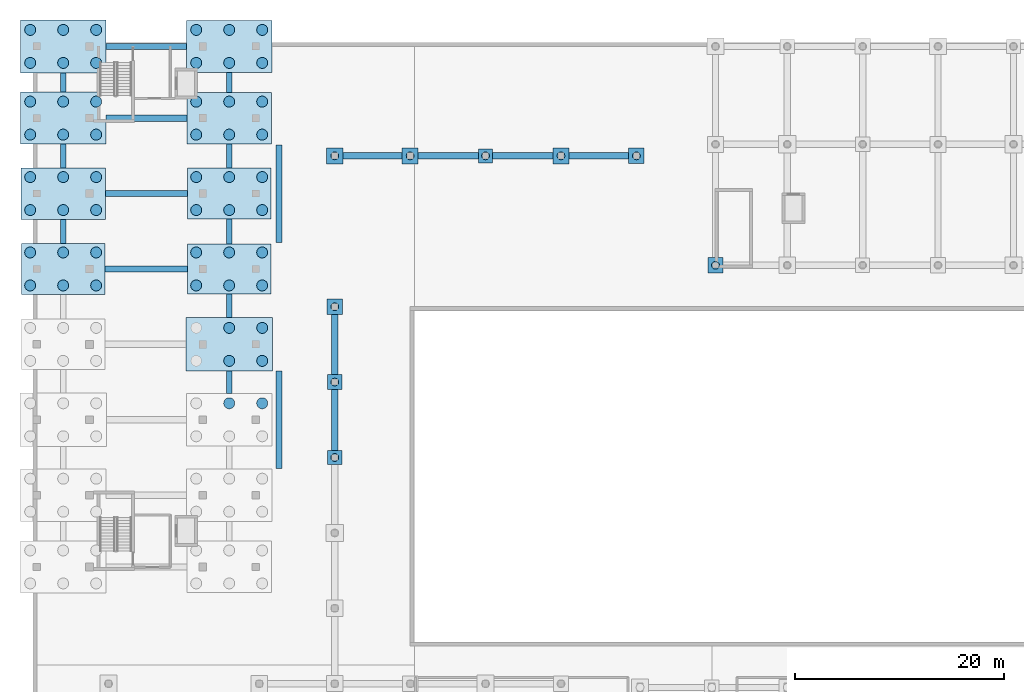
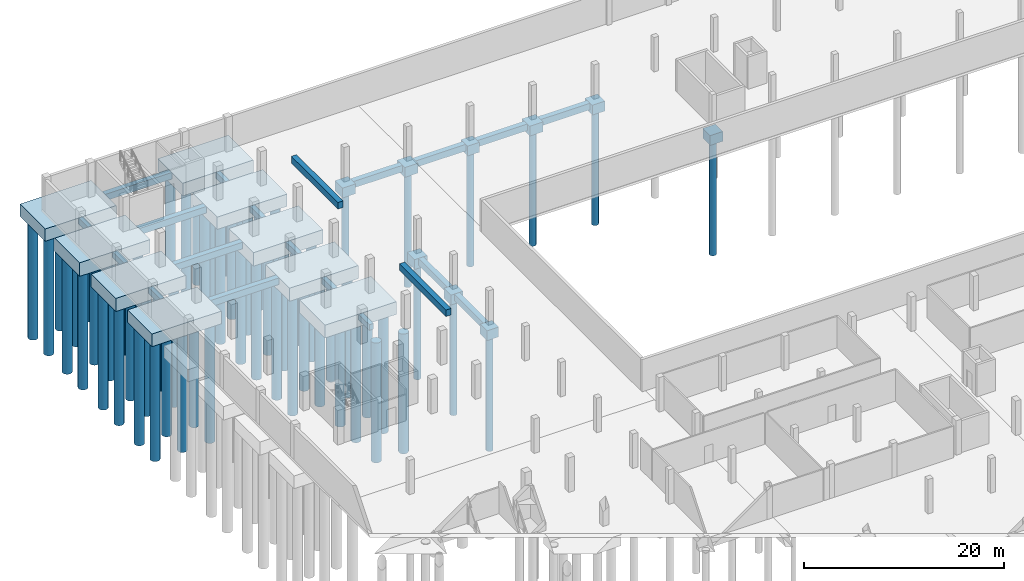
# One storey, part 7 of 36: 63 piles, 38 footings.
"""IFC4 building model written with IfcOpenShell, lengths in metres."""

from ifc_helpers import new_model, si_unit, derived_unit, direction, frame, origin, origin_2d, place, context, subcontext, project, spatial, polyline, rectangle, circle, outline, extrude, material, material_profile, profile_set, type_object, element, save


model = new_model("IFC4")

# Units and contexts
model_context = context("Model", 3, precision=1e-05, world=origin(), true_north=direction((0.0, 1.0)))
body_context = subcontext(model_context, "Body", "Model", "MODEL_VIEW")
ifc_project = project(units=[si_unit("LENGTHUNIT", "METRE"), si_unit("AREAUNIT", "SQUARE_METRE"), si_unit("VOLUMEUNIT", "CUBIC_METRE"), si_unit("PLANEANGLEUNIT", "RADIAN"), si_unit("MASSUNIT", "GRAM", prefix="KILO"), derived_unit("THERMALTRANSMITTANCEUNIT", [(si_unit("MASSUNIT", "GRAM", prefix="KILO"), 1), (si_unit("TIMEUNIT", "SECOND"), -3), (si_unit("THERMODYNAMICTEMPERATUREUNIT", "KELVIN"), -1)])], contexts=[model_context])

# Site, building, storey
site_placement = place(None, origin())
site = spatial("IfcSite", under=ifc_project, at=site_placement, CompositionType="ELEMENT")
building_placement = place(site_placement, origin())
building = spatial("IfcBuilding", under=site, at=building_placement, Name="Ochrekiln Boulevard Commons", CompositionType="ELEMENT")
storey_placement = place(building_placement, frame((0.0, 0.0, -4.199951171875)))
storey = spatial("IfcBuildingStorey", under=building, at=storey_placement, Name="B1", CompositionType="ELEMENT", Elevation=-4.199951171875)

# Footings
ifc_material = material(Name="Concrete C35/45", Category="concrete")
footing_type_1 = type_object("IfcFootingType", Name="CAP-RC-1350x1350x1200", PredefinedType="PILE_CAP", material=ifc_material)
for number, where, z_axis, x_axis, name in (
    (1, (28.800048828125, 79.199951171875, -1.5), (0.0, 0.0, 1.0), (1.0, 0.0, 0.0), "Reinforced Concrete Pile Cap PC-27 (42)"),
    (2, (43.199951171875, 108.0, -1.5), (0.0, 0.0, 1.0), (1.0, 0.0, 0.0), "Reinforced Concrete Pile Cap PC-27 (66)"),
):
    element("IfcFooting", number, at=place(storey_placement, frame(where, z_axis=z_axis, x_axis=x_axis)), inside=storey, type_object=footing_type_1, Name=name, PredefinedType="PILE_CAP", context=body_context, shape_type="SweptSolid", body=[
        extrude(rectangle(XDim=1.35009765625, YDim=1.35009765625, at=origin_2d()), origin(), (0.0, 0.0, 1.0), 1.199951171875),
    ])
footing_type_2 = type_object("IfcFootingType", Name="CAP-RC-1410x1410x1200", PredefinedType="PILE_CAP", material=ifc_material)
footing_1_placement = place(storey_placement, frame((28.800048828125, 86.39990234375, -1.5), z_axis=(0.0, 0.0, 1.0), x_axis=(1.0, 0.0, 0.0)))
element("IfcFooting", 3, at=footing_1_placement, inside=storey, type_object=footing_type_2, Name="Reinforced Concrete Pile Cap PC-28 (43)", PredefinedType="PILE_CAP", context=body_context, shape_type="SweptSolid", body=[
    extrude(rectangle(XDim=1.409912109375, YDim=1.409912109375, at=origin_2d()), origin(), (0.0, 0.0, 1.0), 1.199951171875),
])
footing_type_3 = type_object("IfcFootingType", Name="CAP-RC-1470x1470x1200", PredefinedType="PILE_CAP", material=ifc_material)
for number, where, z_axis, x_axis, name in (
    (4, (28.800048828125, 93.60009765625, -1.5), (0.0, 0.0, 1.0), (1.0, 0.0, 0.0), "Reinforced Concrete Pile Cap PC-29 (44)"),
    (5, (57.60009765625, 108.0, -1.5), (0.0, 0.0, 1.0), (1.0, 0.0, 0.0), "Reinforced Concrete Pile Cap PC-29 (80)"),
    (6, (65.14990234375, 97.550048828125, -1.5), (0.0, 0.0, 1.0), (1.0, 0.0, 0.0), "Reinforced Concrete Pile Cap PC-29 (86)"),
):
    element("IfcFooting", number, at=place(storey_placement, frame(where, z_axis=z_axis, x_axis=x_axis)), inside=storey, type_object=footing_type_3, Name=name, PredefinedType="PILE_CAP", context=body_context, shape_type="SweptSolid", body=[
        extrude(rectangle(XDim=1.469970703125, YDim=1.469970703125, at=origin_2d()), origin(), (0.0, 0.0, 1.0), 1.199951171875),
    ])
footing_type_4 = type_object("IfcFootingType", Name="CAP-RC-1530x1530x1200", PredefinedType="PILE_CAP", material=ifc_material)
for number, where, z_axis, x_axis, name in (
    (7, (28.800048828125, 108.0, -1.5), (0.0, 0.0, 1.0), (1.0, 0.0, 0.0), "Reinforced Concrete Pile Cap PC-30 (45)"),
    (8, (36.0, 108.0, -1.5), (0.0, 0.0, 1.0), (1.0, 0.0, 0.0), "Reinforced Concrete Pile Cap PC-30 (57)"),
    (9, (50.39990234375, 108.0, -1.5), (0.0, 0.0, 1.0), (1.0, 0.0, 0.0), "Reinforced Concrete Pile Cap PC-30 (75)"),
):
    element("IfcFooting", number, at=place(storey_placement, frame(where, z_axis=z_axis, x_axis=x_axis)), inside=storey, type_object=footing_type_4, Name=name, PredefinedType="PILE_CAP", context=body_context, shape_type="SweptSolid", body=[
        extrude(rectangle(XDim=1.530029296875, YDim=1.530029296875, at=origin_2d()), origin(), (0.0, 0.0, 1.0), 1.199951171875),
    ])
footing_type_5 = type_object("IfcFootingType", Name="CAP-RC-7950x4800x1600", PredefinedType="PILE_CAP", material=ifc_material)
footing_2_placement = place(storey_placement, frame((18.72509765625, 97.199951171875, -1.900146484375), z_axis=(0.0, 0.0, 1.0), x_axis=(1.0, 0.0, 0.0)))
element("IfcFooting", 10, at=footing_2_placement, inside=storey, type_object=footing_type_5, Name="Reinforced Concrete Pile Cap PC-23 (30)", PredefinedType="PILE_CAP", context=body_context, shape_type="SweptSolid", body=[
    extrude(rectangle(XDim=7.949951171875, YDim=4.800048828125, at=origin_2d()), origin(), (0.0, 0.0, 1.0), 1.60009765625),
])
footing_type_6 = type_object("IfcFootingType", Name="CAP-RC-8010x4860x1550", PredefinedType="PILE_CAP", material=ifc_material)
footing_3_placement = place(storey_placement, frame((2.875, 97.199951171875, -1.85009765625), z_axis=(0.0, 0.0, 1.0), x_axis=(1.0, 0.0, 0.0)))
element("IfcFooting", 11, at=footing_3_placement, inside=storey, type_object=footing_type_6, Name="Reinforced Concrete Pile Cap PC-13 (13)", PredefinedType="PILE_CAP", context=body_context, shape_type="SweptSolid", body=[
    extrude(rectangle(XDim=8.010009765625, YDim=4.860107421875, at=origin_2d()), origin(), (0.0, 0.0, 1.0), 1.550048828125),
])
footing_type_7 = type_object("IfcFootingType", Name="CAP-RC-8010x4860x1650", PredefinedType="PILE_CAP", material=ifc_material)
footing_4_placement = place(storey_placement, frame((18.72509765625, 104.39990234375, -1.949951171875), z_axis=(0.0, 0.0, 1.0), x_axis=(1.0, 0.0, 0.0)))
element("IfcFooting", 12, at=footing_4_placement, inside=storey, type_object=footing_type_7, Name="Reinforced Concrete Pile Cap PC-24 (31)", PredefinedType="PILE_CAP", context=body_context, shape_type="SweptSolid", body=[
    extrude(rectangle(XDim=8.010009765625, YDim=4.860107421875, at=origin_2d()), origin(), (0.0, 0.0, 1.0), 1.64990234375),
])
footing_type_8 = type_object("IfcFootingType", Name="CAP-RC-8070x4920x1500", PredefinedType="PILE_CAP", material=ifc_material)
footing_5_placement = place(storey_placement, frame((18.72509765625, 111.60009765625, -1.800048828125), z_axis=(0.0, 0.0, 1.0), x_axis=(1.0, 0.0, 0.0)))
element("IfcFooting", 13, at=footing_5_placement, inside=storey, type_object=footing_type_8, Name="Reinforced Concrete Pile Cap PC-25 (32)", PredefinedType="PILE_CAP", context=body_context, shape_type="SweptSolid", body=[
    extrude(rectangle(XDim=8.070068359375, YDim=4.919921875, at=origin_2d()), origin(), (0.0, 0.0, 1.0), 1.5),
])
footing_type_9 = type_object("IfcFootingType", Name="CAP-RC-8070x4920x1600", PredefinedType="PILE_CAP", material=ifc_material)
footing_6_placement = place(storey_placement, frame((2.875, 104.39990234375, -1.900146484375), z_axis=(0.0, 0.0, 1.0), x_axis=(1.0, 0.0, 0.0)))
element("IfcFooting", 14, at=footing_6_placement, inside=storey, type_object=footing_type_9, Name="Reinforced Concrete Pile Cap PC-14 (14)", PredefinedType="PILE_CAP", context=body_context, shape_type="SweptSolid", body=[
    extrude(rectangle(XDim=8.070068359375, YDim=4.919921875, at=origin_2d()), origin(), (0.0, 0.0, 1.0), 1.60009765625),
])
footing_type_10 = type_object("IfcFootingType", Name="CAP-RC-8130x4980x1550", PredefinedType="PILE_CAP", material=ifc_material)
footing_7_placement = place(storey_placement, frame((18.72509765625, 118.449951171875, -1.85009765625), z_axis=(0.0, 0.0, 1.0), x_axis=(1.0, 0.0, 0.0)))
element("IfcFooting", 15, at=footing_7_placement, inside=storey, type_object=footing_type_10, Name="Reinforced Concrete Pile Cap PC-09 (33)", PredefinedType="PILE_CAP", context=body_context, shape_type="SweptSolid", body=[
    extrude(rectangle(XDim=8.1298828125, YDim=4.97998046875, at=origin_2d()), origin(), (0.0, 0.0, 1.0), 1.550048828125),
])
footing_type_11 = type_object("IfcFootingType", Name="CAP-RC-8130x4980x1650", PredefinedType="PILE_CAP", material=ifc_material)
footing_8_placement = place(storey_placement, frame((2.875, 111.60009765625, -1.949951171875), z_axis=(0.0, 0.0, 1.0), x_axis=(1.0, 0.0, 0.0)))
element("IfcFooting", 16, at=footing_8_placement, inside=storey, type_object=footing_type_11, Name="Reinforced Concrete Pile Cap PC-15 (15)", PredefinedType="PILE_CAP", context=body_context, shape_type="SweptSolid", body=[
    extrude(rectangle(XDim=8.1298828125, YDim=4.97998046875, at=origin_2d()), origin(), (0.0, 0.0, 1.0), 1.64990234375),
])
footing_type_12 = type_object("IfcFootingType", Name="CAP-RC-8190x5040x1500", PredefinedType="PILE_CAP", material=ifc_material)
footing_9_placement = place(storey_placement, frame((2.875, 118.449951171875, -1.800048828125), z_axis=(0.0, 0.0, 1.0), x_axis=(1.0, 0.0, 0.0)))
element("IfcFooting", 17, at=footing_9_placement, inside=storey, type_object=footing_type_12, Name="Reinforced Concrete Pile Cap PC-16 (16)", PredefinedType="PILE_CAP", context=body_context, shape_type="SweptSolid", body=[
    extrude(rectangle(XDim=8.18994140625, YDim=5.0400390625, at=origin_2d()), origin(), (0.0, 0.0, 1.0), 1.5),
])
footing_type_13 = type_object("IfcFootingType", Name="CAP-RC-8250x5100x1550", PredefinedType="PILE_CAP", material=ifc_material)
footing_10_placement = place(storey_placement, frame((18.72509765625, 90.0, -1.85009765625), z_axis=(0.0, 0.0, 1.0), x_axis=(1.0, 0.0, 0.0)))
element("IfcFooting", 18, at=footing_10_placement, inside=storey, type_object=footing_type_13, Name="Reinforced Concrete Pile Cap PC-22 (29)", PredefinedType="PILE_CAP", context=body_context, shape_type="SweptSolid", body=[
    extrude(rectangle(XDim=8.25, YDim=5.10009765625, at=origin_2d()), origin(), (0.0, 0.0, 1.0), 1.550048828125),
])
footing_type_14 = type_object("IfcFootingType", Name="FTG-BEAM-500x700", PredefinedType="FOOTING_BEAM", material=ifc_material)
footing_11_placement = place(storey_placement, frame((0.0, 0.0, -1.0)))
element("IfcFooting", 19, at=footing_11_placement, inside=storey, type_object=footing_type_14, Name="Seismic Footing Tie Beam FB-5070 Y-177", PredefinedType="FOOTING_BEAM", context=body_context, shape_type="SweptSolid", body=[
    extrude(outline(polyline([(2.625, 99.6298828125), (3.125, 99.6298828125), (3.125, 101.93994140625), (2.625, 101.93994140625), (2.625, 99.6298828125)])), origin(), (0.0, 0.0, 1.0), 0.699951171875),
])
footing_12_placement = place(storey_placement, frame((0.0, 0.0, -1.0)))
element("IfcFooting", 20, at=footing_12_placement, inside=storey, type_object=footing_type_14, Name="Seismic Footing Tie Beam FB-5070 Y-178", PredefinedType="FOOTING_BEAM", context=body_context, shape_type="SweptSolid", body=[
    extrude(outline(polyline([(2.625, 106.860107421875), (3.125, 106.860107421875), (3.125, 109.110107421875), (2.625, 109.110107421875), (2.625, 106.860107421875)])), origin(), (0.0, 0.0, 1.0), 0.699951171875),
])
footing_13_placement = place(storey_placement, frame((0.0, 0.0, -1.0)))
element("IfcFooting", 21, at=footing_13_placement, inside=storey, type_object=footing_type_14, Name="Seismic Footing Tie Beam FB-5070 Y-179", PredefinedType="FOOTING_BEAM", context=body_context, shape_type="SweptSolid", body=[
    extrude(outline(polyline([(2.625, 114.090087890625), (3.125, 114.090087890625), (3.125, 115.929931640625), (2.625, 115.929931640625), (2.625, 114.090087890625)])), origin(), (0.0, 0.0, 1.0), 0.699951171875),
])
footing_14_placement = place(storey_placement, frame((0.0, 0.0, -1.0)))
element("IfcFooting", 22, at=footing_14_placement, inside=storey, type_object=footing_type_14, Name="Seismic Footing Tie Beam FB-5070 Y-189", PredefinedType="FOOTING_BEAM", context=body_context, shape_type="SweptSolid", body=[
    extrude(outline(polyline([(18.47509765625, 85.320068359375), (18.97509765625, 85.320068359375), (18.97509765625, 87.449951171875), (18.47509765625, 87.449951171875), (18.47509765625, 85.320068359375)])), origin(), (0.0, 0.0, 1.0), 0.699951171875),
])
footing_15_placement = place(storey_placement, frame((0.0, 0.0, -1.0)))
element("IfcFooting", 23, at=footing_15_placement, inside=storey, type_object=footing_type_14, Name="Seismic Footing Tie Beam FB-5070 Y-190", PredefinedType="FOOTING_BEAM", context=body_context, shape_type="SweptSolid", body=[
    extrude(outline(polyline([(18.47509765625, 92.550048828125), (18.97509765625, 92.550048828125), (18.97509765625, 94.800048828125), (18.47509765625, 94.800048828125), (18.47509765625, 92.550048828125)])), origin(), (0.0, 0.0, 1.0), 0.699951171875),
])
footing_16_placement = place(storey_placement, frame((0.0, 0.0, -1.0)))
element("IfcFooting", 24, at=footing_16_placement, inside=storey, type_object=footing_type_14, Name="Seismic Footing Tie Beam FB-5070 Y-191", PredefinedType="FOOTING_BEAM", context=body_context, shape_type="SweptSolid", body=[
    extrude(outline(polyline([(18.47509765625, 99.60009765625), (18.97509765625, 99.60009765625), (18.97509765625, 101.969970703125), (18.47509765625, 101.969970703125), (18.47509765625, 99.60009765625)])), origin(), (0.0, 0.0, 1.0), 0.699951171875),
])
footing_17_placement = place(storey_placement, frame((0.0, 0.0, -1.0)))
element("IfcFooting", 25, at=footing_17_placement, inside=storey, type_object=footing_type_14, Name="Seismic Footing Tie Beam FB-5070 Y-192", PredefinedType="FOOTING_BEAM", context=body_context, shape_type="SweptSolid", body=[
    extrude(outline(polyline([(18.47509765625, 106.830078125), (18.97509765625, 106.830078125), (18.97509765625, 109.139892578125), (18.47509765625, 109.139892578125), (18.47509765625, 106.830078125)])), origin(), (0.0, 0.0, 1.0), 0.699951171875),
])
footing_18_placement = place(storey_placement, frame((0.0, 0.0, -1.0)))
element("IfcFooting", 26, at=footing_18_placement, inside=storey, type_object=footing_type_14, Name="Seismic Footing Tie Beam FB-5070 Y-193", PredefinedType="FOOTING_BEAM", context=body_context, shape_type="SweptSolid", body=[
    extrude(outline(polyline([(18.47509765625, 114.06005859375), (18.97509765625, 114.06005859375), (18.97509765625, 115.9599609375), (18.47509765625, 115.9599609375), (18.47509765625, 114.06005859375)])), origin(), (0.0, 0.0, 1.0), 0.699951171875),
])
footing_type_15 = type_object("IfcFootingType", Name="FTG-BEAM-600x800", PredefinedType="FOOTING_BEAM", material=ifc_material)
footing_19_placement = place(storey_placement, frame((0.0, 0.0, -1.10009765625)))
element("IfcFooting", 27, at=footing_19_placement, inside=storey, type_object=footing_type_15, Name="Seismic Footing Tie Beam FB-6080 X-101", PredefinedType="FOOTING_BEAM", context=body_context, shape_type="SweptSolid", body=[
    extrude(outline(polyline([(6.8798828125, 96.89990234375), (14.75, 96.89990234375), (14.75, 97.5), (6.8798828125, 97.5), (6.8798828125, 96.89990234375)])), origin(), (0.0, 0.0, 1.0), 0.800048828125),
])
footing_20_placement = place(storey_placement, frame((0.0, 0.0, -1.10009765625)))
element("IfcFooting", 28, at=footing_20_placement, inside=storey, type_object=footing_type_15, Name="Seismic Footing Tie Beam FB-6080 X-109", PredefinedType="FOOTING_BEAM", context=body_context, shape_type="SweptSolid", body=[
    extrude(outline(polyline([(6.909912109375, 104.10009765625), (14.719970703125, 104.10009765625), (14.719970703125, 104.699951171875), (6.909912109375, 104.699951171875), (6.909912109375, 104.10009765625)])), origin(), (0.0, 0.0, 1.0), 0.800048828125),
])
footing_21_placement = place(storey_placement, frame((0.0, 0.0, -1.10009765625)))
element("IfcFooting", 29, at=footing_21_placement, inside=storey, type_object=footing_type_15, Name="Seismic Footing Tie Beam FB-6080 X-111", PredefinedType="FOOTING_BEAM", context=body_context, shape_type="SweptSolid", body=[
    extrude(outline(polyline([(6.93994140625, 111.300048828125), (14.68994140625, 111.300048828125), (14.68994140625, 111.89990234375), (6.93994140625, 111.89990234375), (6.93994140625, 111.300048828125)])), origin(), (0.0, 0.0, 1.0), 0.800048828125),
])
footing_22_placement = place(storey_placement, frame((0.0, 0.0, -1.10009765625)))
element("IfcFooting", 30, at=footing_22_placement, inside=storey, type_object=footing_type_15, Name="Seismic Footing Tie Beam FB-6080 X-113", PredefinedType="FOOTING_BEAM", context=body_context, shape_type="SweptSolid", body=[
    extrude(outline(polyline([(6.969970703125, 118.14990234375), (14.659912109375, 118.14990234375), (14.659912109375, 118.75), (6.969970703125, 118.75), (6.969970703125, 118.14990234375)])), origin(), (0.0, 0.0, 1.0), 0.800048828125),
])
footing_23_placement = place(storey_placement, frame((0.0, 0.0, -1.10009765625)))
element("IfcFooting", 31, at=footing_23_placement, inside=storey, type_object=footing_type_15, Name="Seismic Footing Tie Beam FB-6080 X-132", PredefinedType="FOOTING_BEAM", context=body_context, shape_type="SweptSolid", body=[
    extrude(outline(polyline([(29.56494140625, 107.699951171875), (35.235107421875, 107.699951171875), (35.235107421875, 108.300048828125), (29.56494140625, 108.300048828125), (29.56494140625, 107.699951171875)])), origin(), (0.0, 0.0, 1.0), 0.800048828125),
])
footing_24_placement = place(storey_placement, frame((0.0, 0.0, -1.10009765625)))
element("IfcFooting", 32, at=footing_24_placement, inside=storey, type_object=footing_type_15, Name="Seismic Footing Tie Beam FB-6080 X-133", PredefinedType="FOOTING_BEAM", context=body_context, shape_type="SweptSolid", body=[
    extrude(outline(polyline([(36.764892578125, 107.699951171875), (42.52490234375, 107.699951171875), (42.52490234375, 108.300048828125), (36.764892578125, 108.300048828125), (36.764892578125, 107.699951171875)])), origin(), (0.0, 0.0, 1.0), 0.800048828125),
])
footing_25_placement = place(storey_placement, frame((0.0, 0.0, -1.10009765625)))
element("IfcFooting", 33, at=footing_25_placement, inside=storey, type_object=footing_type_15, Name="Seismic Footing Tie Beam FB-6080 X-134", PredefinedType="FOOTING_BEAM", context=body_context, shape_type="SweptSolid", body=[
    extrude(outline(polyline([(43.875, 107.699951171875), (49.635009765625, 107.699951171875), (49.635009765625, 108.300048828125), (43.875, 108.300048828125), (43.875, 107.699951171875)])), origin(), (0.0, 0.0, 1.0), 0.800048828125),
])
footing_26_placement = place(storey_placement, frame((0.0, 0.0, -1.10009765625)))
element("IfcFooting", 34, at=footing_26_placement, inside=storey, type_object=footing_type_15, Name="Seismic Footing Tie Beam FB-6080 X-135", PredefinedType="FOOTING_BEAM", context=body_context, shape_type="SweptSolid", body=[
    extrude(outline(polyline([(51.1650390625, 107.699951171875), (56.864990234375, 107.699951171875), (56.864990234375, 108.300048828125), (51.1650390625, 108.300048828125), (51.1650390625, 107.699951171875)])), origin(), (0.0, 0.0, 1.0), 0.800048828125),
])
footing_27_placement = place(storey_placement, frame((0.0, 0.0, -1.10009765625)))
element("IfcFooting", 35, at=footing_27_placement, inside=storey, type_object=footing_type_15, Name="Seismic Footing Tie Beam FB-6080 Y-204", PredefinedType="FOOTING_BEAM", context=body_context, shape_type="SweptSolid", body=[
    extrude(outline(polyline([(28.5, 79.875), (29.10009765625, 79.875), (29.10009765625, 85.695068359375), (28.5, 85.695068359375), (28.5, 79.875)])), origin(), (0.0, 0.0, 1.0), 0.800048828125),
])
footing_28_placement = place(storey_placement, frame((0.0, 0.0, -1.10009765625)))
element("IfcFooting", 36, at=footing_28_placement, inside=storey, type_object=footing_type_15, Name="Seismic Footing Tie Beam FB-6080 Y-205", PredefinedType="FOOTING_BEAM", context=body_context, shape_type="SweptSolid", body=[
    extrude(outline(polyline([(28.5, 87.10498046875), (29.10009765625, 87.10498046875), (29.10009765625, 92.864990234375), (28.5, 92.864990234375), (28.5, 87.10498046875)])), origin(), (0.0, 0.0, 1.0), 0.800048828125),
])
footing_type_16 = type_object("IfcFootingType", Name="FTG-PAD-600x800", PredefinedType="PAD_FOOTING", material=ifc_material)
footing_29_placement = place(storey_placement, frame((0.0, 0.0, 3.39990234375)))
element("IfcFooting", 37, at=footing_29_placement, inside=storey, type_object=footing_type_16, Name="Reinforced Concrete Balcony Plinth Pad Footing FP-6080 Block A 1", PredefinedType="PAD_FOOTING", context=body_context, shape_type="SweptSolid", body=[
    extrude(outline(polyline([(23.179931640625, 78.14990234375), (23.780029296875, 78.14990234375), (23.780029296875, 87.449951171875), (23.179931640625, 87.449951171875), (23.179931640625, 78.14990234375)])), origin(), (0.0, 0.0, 1.0), 0.800048828125),
])
footing_30_placement = place(storey_placement, frame((0.0, 0.0, 3.39990234375)))
element("IfcFooting", 38, at=footing_30_placement, inside=storey, type_object=footing_type_16, Name="Reinforced Concrete Balcony Plinth Pad Footing FP-6080 Block A 2", PredefinedType="PAD_FOOTING", context=body_context, shape_type="SweptSolid", body=[
    extrude(outline(polyline([(23.179931640625, 99.75), (23.780029296875, 99.75), (23.780029296875, 109.050048828125), (23.179931640625, 109.050048828125), (23.179931640625, 99.75)])), origin(), (0.0, 0.0, 1.0), 0.800048828125),
])

# Piles
ifc_material_profile_1 = material_profile(ifc_material, circle(Radius=0.52490234375, at=origin_2d()), Name="PILE-D1050")
ifc_profile_set_1 = profile_set([ifc_material_profile_1], Name="Concrete C35/45")
pile_type_1 = type_object("IfcPileType", Name="PILE-BORED-1050", PredefinedType="BORED", material=ifc_profile_set_1)
for number, where, z_axis, x_axis, name in (
    (39, (-0.27490234375, 95.625, -1.75), (0.0, 0.0, -1.0), (1.0, 0.0, 0.0), "Caliche-Socketed Bored Pile BP-1050 (13.1)"),
    (40, (-0.27490234375, 98.77490234375, -1.75), (0.0, 0.0, -1.0), (1.0, 0.0, 0.0), "Caliche-Socketed Bored Pile BP-1050 (13.2)"),
    (41, (2.875, 95.625, -1.75), (0.0, 0.0, -1.0), (1.0, 0.0, 0.0), "Caliche-Socketed Bored Pile BP-1050 (13.3)"),
    (42, (2.875, 98.77490234375, -1.75), (0.0, 0.0, -1.0), (1.0, 0.0, 0.0), "Caliche-Socketed Bored Pile BP-1050 (13.4)"),
    (43, (6.02490234375, 95.625, -1.75), (0.0, 0.0, -1.0), (1.0, 0.0, 0.0), "Caliche-Socketed Bored Pile BP-1050 (13.5)"),
    (44, (6.02490234375, 98.77490234375, -1.75), (0.0, 0.0, -1.0), (1.0, 0.0, 0.0), "Caliche-Socketed Bored Pile BP-1050 (13.6)"),
):
    element("IfcPile", number, at=place(storey_placement, frame(where, z_axis=z_axis, x_axis=x_axis)), inside=storey, type_object=pile_type_1, Name=name, PredefinedType="BORED", context=body_context, shape_type="SweptSolid", body=[
        extrude(circle(Radius=0.52490234375, at=origin_2d()), origin(), (0.0, 0.0, 1.0), 14.550048828125),
    ])
for number, where, z_axis, x_axis, name in (
    (45, (-0.27490234375, 102.824951171875, -1.800048828125), (0.0, 0.0, -1.0), (1.0, 0.0, 0.0), "Caliche-Socketed Bored Pile BP-1050 (14.1)"),
    (46, (-0.27490234375, 105.97509765625, -1.800048828125), (0.0, 0.0, -1.0), (1.0, 0.0, 0.0), "Caliche-Socketed Bored Pile BP-1050 (14.2)"),
    (47, (2.875, 102.824951171875, -1.800048828125), (0.0, 0.0, -1.0), (1.0, 0.0, 0.0), "Caliche-Socketed Bored Pile BP-1050 (14.3)"),
    (48, (2.875, 105.97509765625, -1.800048828125), (0.0, 0.0, -1.0), (1.0, 0.0, 0.0), "Caliche-Socketed Bored Pile BP-1050 (14.4)"),
    (49, (6.02490234375, 102.824951171875, -1.800048828125), (0.0, 0.0, -1.0), (1.0, 0.0, 0.0), "Caliche-Socketed Bored Pile BP-1050 (14.5)"),
    (50, (6.02490234375, 105.97509765625, -1.800048828125), (0.0, 0.0, -1.0), (1.0, 0.0, 0.0), "Caliche-Socketed Bored Pile BP-1050 (14.6)"),
):
    element("IfcPile", number, at=place(storey_placement, frame(where, z_axis=z_axis, x_axis=x_axis)), inside=storey, type_object=pile_type_1, Name=name, PredefinedType="BORED", context=body_context, shape_type="SweptSolid", body=[
        extrude(circle(Radius=0.52490234375, at=origin_2d()), origin(), (0.0, 0.0, 1.0), 14.5),
    ])
for number, where, z_axis, x_axis, name in (
    (51, (-0.27490234375, 110.02490234375, -1.85009765625), (0.0, 0.0, -1.0), (1.0, 0.0, 0.0), "Caliche-Socketed Bored Pile BP-1050 (15.1)"),
    (52, (-0.27490234375, 113.175048828125, -1.85009765625), (0.0, 0.0, -1.0), (1.0, 0.0, 0.0), "Caliche-Socketed Bored Pile BP-1050 (15.2)"),
    (53, (2.875, 110.02490234375, -1.85009765625), (0.0, 0.0, -1.0), (1.0, 0.0, 0.0), "Caliche-Socketed Bored Pile BP-1050 (15.3)"),
    (54, (2.875, 113.175048828125, -1.85009765625), (0.0, 0.0, -1.0), (1.0, 0.0, 0.0), "Caliche-Socketed Bored Pile BP-1050 (15.4)"),
    (55, (6.02490234375, 110.02490234375, -1.85009765625), (0.0, 0.0, -1.0), (1.0, 0.0, 0.0), "Caliche-Socketed Bored Pile BP-1050 (15.5)"),
    (56, (6.02490234375, 113.175048828125, -1.85009765625), (0.0, 0.0, -1.0), (1.0, 0.0, 0.0), "Caliche-Socketed Bored Pile BP-1050 (15.6)"),
):
    element("IfcPile", number, at=place(storey_placement, frame(where, z_axis=z_axis, x_axis=x_axis)), inside=storey, type_object=pile_type_1, Name=name, PredefinedType="BORED", context=body_context, shape_type="SweptSolid", body=[
        extrude(circle(Radius=0.52490234375, at=origin_2d()), origin(), (0.0, 0.0, 1.0), 14.449951171875),
    ])
for number, where, z_axis, x_axis, name in (
    (57, (-0.27490234375, 116.875, -1.699951171875), (0.0, 0.0, -1.0), (1.0, 0.0, 0.0), "Caliche-Socketed Bored Pile BP-1050 (16.1)"),
    (58, (-0.27490234375, 120.02490234375, -1.699951171875), (0.0, 0.0, -1.0), (1.0, 0.0, 0.0), "Caliche-Socketed Bored Pile BP-1050 (16.2)"),
    (59, (2.875, 116.875, -1.699951171875), (0.0, 0.0, -1.0), (1.0, 0.0, 0.0), "Caliche-Socketed Bored Pile BP-1050 (16.3)"),
    (60, (2.875, 120.02490234375, -1.699951171875), (0.0, 0.0, -1.0), (1.0, 0.0, 0.0), "Caliche-Socketed Bored Pile BP-1050 (16.4)"),
    (61, (6.02490234375, 116.875, -1.699951171875), (0.0, 0.0, -1.0), (1.0, 0.0, 0.0), "Caliche-Socketed Bored Pile BP-1050 (16.5)"),
    (62, (6.02490234375, 120.02490234375, -1.699951171875), (0.0, 0.0, -1.0), (1.0, 0.0, 0.0), "Caliche-Socketed Bored Pile BP-1050 (16.6)"),
    (63, (18.72509765625, 84.375, -1.699951171875), (0.0, 0.0, -1.0), (1.0, 0.0, 0.0), "Caliche-Socketed Bored Pile BP-1050 (28.4)"),
    (64, (21.875, 84.375, -1.699951171875), (0.0, 0.0, -1.0), (1.0, 0.0, 0.0), "Caliche-Socketed Bored Pile BP-1050 (28.6)"),
):
    element("IfcPile", number, at=place(storey_placement, frame(where, z_axis=z_axis, x_axis=x_axis)), inside=storey, type_object=pile_type_1, Name=name, PredefinedType="BORED", context=body_context, shape_type="SweptSolid", body=[
        extrude(circle(Radius=0.52490234375, at=origin_2d()), origin(), (0.0, 0.0, 1.0), 14.60009765625),
    ])
for number, where, z_axis, x_axis, name in (
    (65, (18.72509765625, 88.425048828125, -1.75), (0.0, 0.0, -1.0), (1.0, 0.0, 0.0), "Caliche-Socketed Bored Pile BP-1050 (29.3)"),
    (66, (18.72509765625, 91.574951171875, -1.75), (0.0, 0.0, -1.0), (1.0, 0.0, 0.0), "Caliche-Socketed Bored Pile BP-1050 (29.4)"),
    (67, (21.875, 88.425048828125, -1.75), (0.0, 0.0, -1.0), (1.0, 0.0, 0.0), "Caliche-Socketed Bored Pile BP-1050 (29.5)"),
    (68, (21.875, 91.574951171875, -1.75), (0.0, 0.0, -1.0), (1.0, 0.0, 0.0), "Caliche-Socketed Bored Pile BP-1050 (29.6)"),
):
    element("IfcPile", number, at=place(storey_placement, frame(where, z_axis=z_axis, x_axis=x_axis)), inside=storey, type_object=pile_type_1, Name=name, PredefinedType="BORED", context=body_context, shape_type="SweptSolid", body=[
        extrude(circle(Radius=0.52490234375, at=origin_2d()), origin(), (0.0, 0.0, 1.0), 14.550048828125),
    ])
for number, where, z_axis, x_axis, name in (
    (69, (15.574951171875, 95.625, -1.800048828125), (0.0, 0.0, -1.0), (1.0, 0.0, 0.0), "Caliche-Socketed Bored Pile BP-1050 (30.1)"),
    (70, (15.574951171875, 98.77490234375, -1.800048828125), (0.0, 0.0, -1.0), (1.0, 0.0, 0.0), "Caliche-Socketed Bored Pile BP-1050 (30.2)"),
    (71, (18.72509765625, 95.625, -1.800048828125), (0.0, 0.0, -1.0), (1.0, 0.0, 0.0), "Caliche-Socketed Bored Pile BP-1050 (30.3)"),
    (72, (18.72509765625, 98.77490234375, -1.800048828125), (0.0, 0.0, -1.0), (1.0, 0.0, 0.0), "Caliche-Socketed Bored Pile BP-1050 (30.4)"),
    (73, (21.875, 95.625, -1.800048828125), (0.0, 0.0, -1.0), (1.0, 0.0, 0.0), "Caliche-Socketed Bored Pile BP-1050 (30.5)"),
    (74, (21.875, 98.77490234375, -1.800048828125), (0.0, 0.0, -1.0), (1.0, 0.0, 0.0), "Caliche-Socketed Bored Pile BP-1050 (30.6)"),
):
    element("IfcPile", number, at=place(storey_placement, frame(where, z_axis=z_axis, x_axis=x_axis)), inside=storey, type_object=pile_type_1, Name=name, PredefinedType="BORED", context=body_context, shape_type="SweptSolid", body=[
        extrude(circle(Radius=0.52490234375, at=origin_2d()), origin(), (0.0, 0.0, 1.0), 14.5),
    ])
for number, where, z_axis, x_axis, name in (
    (75, (15.574951171875, 102.824951171875, -1.85009765625), (0.0, 0.0, -1.0), (1.0, 0.0, 0.0), "Caliche-Socketed Bored Pile BP-1050 (31.1)"),
    (76, (15.574951171875, 105.97509765625, -1.85009765625), (0.0, 0.0, -1.0), (1.0, 0.0, 0.0), "Caliche-Socketed Bored Pile BP-1050 (31.2)"),
    (77, (18.72509765625, 102.824951171875, -1.85009765625), (0.0, 0.0, -1.0), (1.0, 0.0, 0.0), "Caliche-Socketed Bored Pile BP-1050 (31.3)"),
    (78, (18.72509765625, 105.97509765625, -1.85009765625), (0.0, 0.0, -1.0), (1.0, 0.0, 0.0), "Caliche-Socketed Bored Pile BP-1050 (31.4)"),
    (79, (21.875, 102.824951171875, -1.85009765625), (0.0, 0.0, -1.0), (1.0, 0.0, 0.0), "Caliche-Socketed Bored Pile BP-1050 (31.5)"),
    (80, (21.875, 105.97509765625, -1.85009765625), (0.0, 0.0, -1.0), (1.0, 0.0, 0.0), "Caliche-Socketed Bored Pile BP-1050 (31.6)"),
):
    element("IfcPile", number, at=place(storey_placement, frame(where, z_axis=z_axis, x_axis=x_axis)), inside=storey, type_object=pile_type_1, Name=name, PredefinedType="BORED", context=body_context, shape_type="SweptSolid", body=[
        extrude(circle(Radius=0.52490234375, at=origin_2d()), origin(), (0.0, 0.0, 1.0), 14.449951171875),
    ])
for number, where, z_axis, x_axis, name in (
    (81, (15.574951171875, 110.02490234375, -1.699951171875), (0.0, 0.0, -1.0), (1.0, 0.0, 0.0), "Caliche-Socketed Bored Pile BP-1050 (32.1)"),
    (82, (15.574951171875, 113.175048828125, -1.699951171875), (0.0, 0.0, -1.0), (1.0, 0.0, 0.0), "Caliche-Socketed Bored Pile BP-1050 (32.2)"),
    (83, (18.72509765625, 110.02490234375, -1.699951171875), (0.0, 0.0, -1.0), (1.0, 0.0, 0.0), "Caliche-Socketed Bored Pile BP-1050 (32.3)"),
    (84, (18.72509765625, 113.175048828125, -1.699951171875), (0.0, 0.0, -1.0), (1.0, 0.0, 0.0), "Caliche-Socketed Bored Pile BP-1050 (32.4)"),
    (85, (21.875, 110.02490234375, -1.699951171875), (0.0, 0.0, -1.0), (1.0, 0.0, 0.0), "Caliche-Socketed Bored Pile BP-1050 (32.5)"),
    (86, (21.875, 113.175048828125, -1.699951171875), (0.0, 0.0, -1.0), (1.0, 0.0, 0.0), "Caliche-Socketed Bored Pile BP-1050 (32.6)"),
):
    element("IfcPile", number, at=place(storey_placement, frame(where, z_axis=z_axis, x_axis=x_axis)), inside=storey, type_object=pile_type_1, Name=name, PredefinedType="BORED", context=body_context, shape_type="SweptSolid", body=[
        extrude(circle(Radius=0.52490234375, at=origin_2d()), origin(), (0.0, 0.0, 1.0), 14.60009765625),
    ])
for number, where, z_axis, x_axis, name in (
    (87, (15.574951171875, 116.875, -1.75), (0.0, 0.0, -1.0), (1.0, 0.0, 0.0), "Caliche-Socketed Bored Pile BP-1050 (33.1)"),
    (88, (15.574951171875, 120.02490234375, -1.75), (0.0, 0.0, -1.0), (1.0, 0.0, 0.0), "Caliche-Socketed Bored Pile BP-1050 (33.2)"),
    (89, (18.72509765625, 116.875, -1.75), (0.0, 0.0, -1.0), (1.0, 0.0, 0.0), "Caliche-Socketed Bored Pile BP-1050 (33.3)"),
    (90, (18.72509765625, 120.02490234375, -1.75), (0.0, 0.0, -1.0), (1.0, 0.0, 0.0), "Caliche-Socketed Bored Pile BP-1050 (33.4)"),
    (91, (21.875, 116.875, -1.75), (0.0, 0.0, -1.0), (1.0, 0.0, 0.0), "Caliche-Socketed Bored Pile BP-1050 (33.5)"),
    (92, (21.875, 120.02490234375, -1.75), (0.0, 0.0, -1.0), (1.0, 0.0, 0.0), "Caliche-Socketed Bored Pile BP-1050 (33.6)"),
):
    element("IfcPile", number, at=place(storey_placement, frame(where, z_axis=z_axis, x_axis=x_axis)), inside=storey, type_object=pile_type_1, Name=name, PredefinedType="BORED", context=body_context, shape_type="SweptSolid", body=[
        extrude(circle(Radius=0.52490234375, at=origin_2d()), origin(), (0.0, 0.0, 1.0), 14.550048828125),
    ])
ifc_material_profile_2 = material_profile(ifc_material, circle(Radius=0.375, at=origin_2d()), Name="PILE-D750")
ifc_profile_set_2 = profile_set([ifc_material_profile_2], Name="Concrete C35/45")
pile_type_2 = type_object("IfcPileType", Name="PILE-BORED-750", PredefinedType="BORED", material=ifc_profile_set_2)
for number, where, z_axis, x_axis, name in (
    (93, (28.800048828125, 79.199951171875, -1.400146484375), (0.0, 0.0, -1.0), (1.0, 0.0, 0.0), "Caliche-Socketed Bored Pile BP-750 (42.1)"),
    (94, (28.800048828125, 86.39990234375, -1.400146484375), (0.0, 0.0, -1.0), (1.0, 0.0, 0.0), "Caliche-Socketed Bored Pile BP-750 (43.1)"),
    (95, (28.800048828125, 93.60009765625, -1.400146484375), (0.0, 0.0, -1.0), (1.0, 0.0, 0.0), "Caliche-Socketed Bored Pile BP-750 (44.1)"),
    (96, (28.800048828125, 108.0, -1.400146484375), (0.0, 0.0, -1.0), (1.0, 0.0, 0.0), "Caliche-Socketed Bored Pile BP-750 (45.1)"),
    (97, (36.0, 108.0, -1.400146484375), (0.0, 0.0, -1.0), (1.0, 0.0, 0.0), "Caliche-Socketed Bored Pile BP-750 (57.1)"),
    (98, (43.199951171875, 108.0, -1.400146484375), (0.0, 0.0, -1.0), (1.0, 0.0, 0.0), "Caliche-Socketed Bored Pile BP-750 (66.1)"),
    (99, (50.39990234375, 108.0, -1.400146484375), (0.0, 0.0, -1.0), (1.0, 0.0, 0.0), "Caliche-Socketed Bored Pile BP-750 (75.1)"),
    (100, (57.60009765625, 108.0, -1.400146484375), (0.0, 0.0, -1.0), (1.0, 0.0, 0.0), "Caliche-Socketed Bored Pile BP-750 (80.1)"),
    (101, (65.14990234375, 97.550048828125, -1.400146484375), (0.0, 0.0, -1.0), (1.0, 0.0, 0.0), "Caliche-Socketed Bored Pile BP-750 (86.1)"),
):
    element("IfcPile", number, at=place(storey_placement, frame(where, z_axis=z_axis, x_axis=x_axis)), inside=storey, type_object=pile_type_2, Name=name, PredefinedType="BORED", context=body_context, shape_type="SweptSolid", body=[
        extrude(circle(Radius=0.375, at=origin_2d()), origin(), (0.0, 0.0, 1.0), 14.0),
    ])

save(model, "model.ifc")
